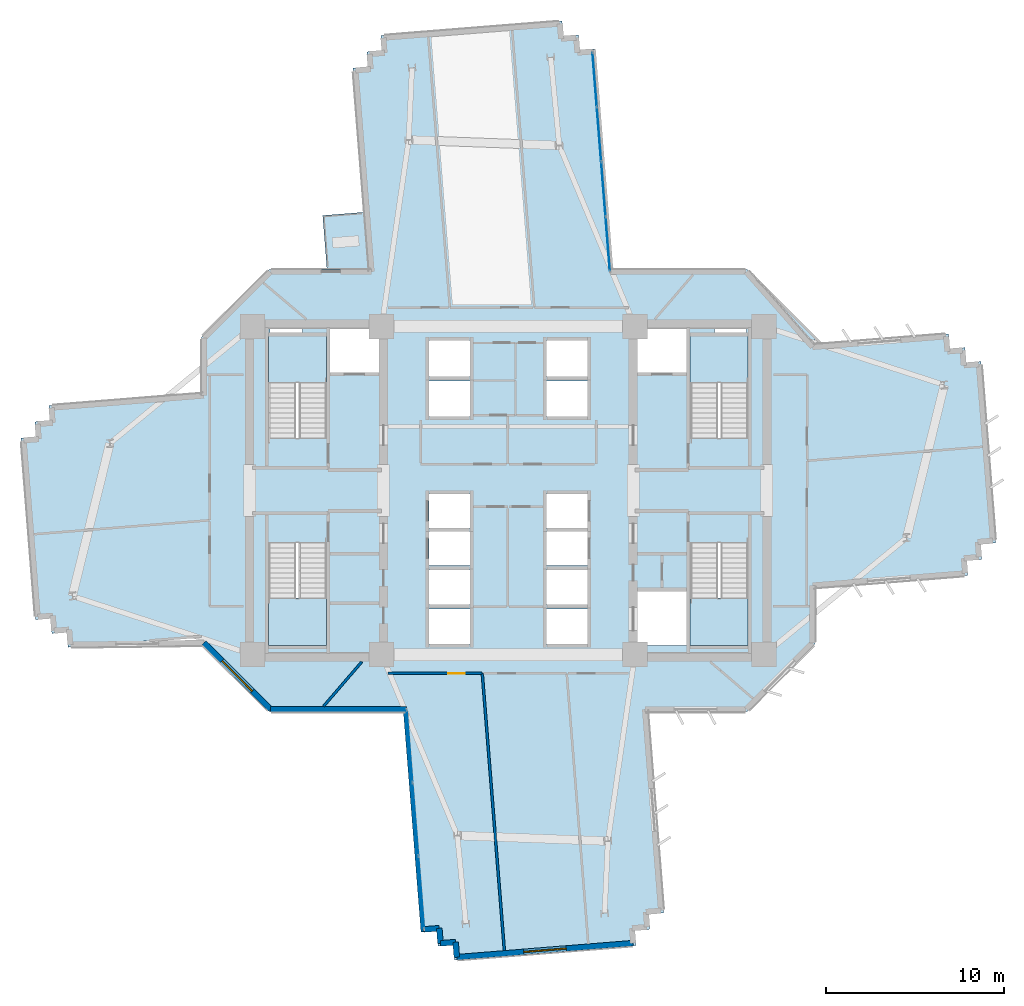
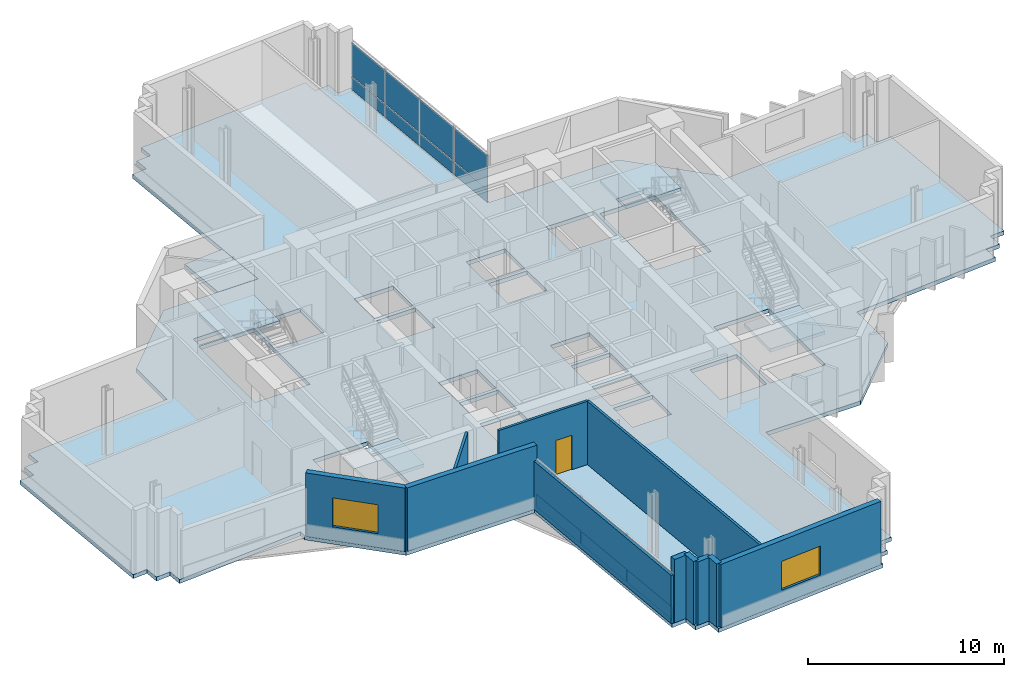
# One storey, part 5 of 15: 14 plates, 11 walls, 6 slabs, 2 windows, 1 door, 3 openings, 6 elements without a shape of their own.
"""IFC4 building model written with IfcOpenShell, lengths in metres."""

from ifc_helpers import new_model, si_unit, direction, frame, frame_2d, origin, origin_2d, place, context, subcontext, project, spatial, polyline, rectangle, outline, extrude, source, transform, mapped, material, layer, layer_set, type_object, element, fill, aggregate, save


model = new_model("IFC4")

# Units and contexts
model_context = context("Model", 3, precision=1e-05, world=origin(), true_north=direction((0.0, 1.0)))
body_context = subcontext(model_context, "Body", "Model", "MODEL_VIEW")
ifc_project = project(units=[si_unit("LENGTHUNIT", "METRE"), si_unit("AREAUNIT", "SQUARE_METRE"), si_unit("VOLUMEUNIT", "CUBIC_METRE"), si_unit("PLANEANGLEUNIT", "RADIAN"), si_unit("MASSUNIT", "GRAM", prefix="KILO")], contexts=[model_context])

# Site, building, storey
site_placement = place(None, origin())
site = spatial("IfcSite", under=ifc_project, at=site_placement, CompositionType="ELEMENT")
building_placement = place(site_placement, origin())
building = spatial("IfcBuilding", under=site, at=building_placement, Name="Zahravan Cultural Tower", CompositionType="ELEMENT")
storey_placement = place(building_placement, frame((0.0, 0.0, 79.5)))
storey = spatial("IfcBuildingStorey", under=building, at=storey_placement, Name="L17", CompositionType="ELEMENT", Elevation=79.5)

# Stair, slab
ifc_material_1 = material(Name="Concrete C45/55", Category="concrete")
stair_type = type_object("IfcStairType", Name="STR-DL-1550-420", PredefinedType="HALF_TURN_STAIR", material=ifc_material_1)
stair_1_placement = place(storey_placement, origin())
stair_1 = element("IfcStair", 1, at=stair_1_placement, inside=storey, type_object=stair_type, Name="L17 West Core North Exit Stair ST-W1", PredefinedType="HALF_TURN_STAIR")
ifc_layer_1 = layer(ifc_material_1, 0.199951171875)
ifc_layer_set_1 = layer_set([ifc_layer_1], Name="Concrete C45/55")
slab_type_1 = type_object("IfcSlabType", Name="SL-STAIR-LND200", PredefinedType="LANDING", material=ifc_layer_set_1)
slab_1_placement = place(storey_placement, frame((0.0, 0.0, 1.89990234375)))
slab_1 = element("IfcSlab", 2, at=slab_1_placement, type_object=slab_type_1, Name="ST-W1 landing 1", PredefinedType="LANDING", context=body_context, shape_type="SweptSolid", body=[
    extrude(outline(polyline([(25.800048828125, 33.030029296875), (25.800048828125, 35.699951171875), (22.550048828125, 35.699951171875), (22.550048828125, 33.030029296875), (25.800048828125, 33.030029296875)])), origin(), (0.0, 0.0, 1.0), 0.2001953125),
])
aggregate(stair_1, [slab_1])

stair_2_placement = place(storey_placement, origin())
stair_2 = element("IfcStair", 3, at=stair_2_placement, inside=storey, type_object=stair_type, Name="L17 West Core South Exit Stair ST-W2", PredefinedType="HALF_TURN_STAIR")
slab_2_placement = place(storey_placement, frame((0.0, 0.0, 1.89990234375)))
slab_2 = element("IfcSlab", 4, at=slab_2_placement, type_object=slab_type_1, Name="ST-W2 landing 1", PredefinedType="LANDING", context=body_context, shape_type="SweptSolid", body=[
    extrude(outline(polyline([(22.550048828125, 20.969970703125), (22.550048828125, 18.300048828125), (25.800048828125, 18.300048828125), (25.800048828125, 20.969970703125), (22.550048828125, 20.969970703125)])), origin(), (0.0, 0.0, 1.0), 0.2001953125),
])
aggregate(stair_2, [slab_2])

stair_3_placement = place(storey_placement, origin())
stair_3 = element("IfcStair", 5, at=stair_3_placement, inside=storey, type_object=stair_type, Name="L17 East Core North Exit Stair ST-E1", PredefinedType="HALF_TURN_STAIR")
slab_3_placement = place(storey_placement, frame((0.0, 0.0, 1.89990234375)))
slab_3 = element("IfcSlab", 6, at=slab_3_placement, type_object=slab_type_1, Name="ST-E1 landing 1", PredefinedType="LANDING", context=body_context, shape_type="SweptSolid", body=[
    extrude(outline(polyline([(49.449951171875, 33.030029296875), (49.449951171875, 35.699951171875), (46.199951171875, 35.699951171875), (46.199951171875, 33.030029296875), (49.449951171875, 33.030029296875)])), origin(), (0.0, 0.0, 1.0), 0.2001953125),
])
aggregate(stair_3, [slab_3])

stair_4_placement = place(storey_placement, origin())
stair_4 = element("IfcStair", 7, at=stair_4_placement, inside=storey, type_object=stair_type, Name="L17 East Core South Exit Stair ST-E2", PredefinedType="HALF_TURN_STAIR")
slab_4_placement = place(storey_placement, frame((0.0, 0.0, 1.89990234375)))
slab_4 = element("IfcSlab", 8, at=slab_4_placement, type_object=slab_type_1, Name="ST-E2 landing 1", PredefinedType="LANDING", context=body_context, shape_type="SweptSolid", body=[
    extrude(outline(polyline([(46.199951171875, 20.969970703125), (46.199951171875, 18.300048828125), (49.449951171875, 18.300048828125), (49.449951171875, 20.969970703125), (46.199951171875, 20.969970703125)])), origin(), (0.0, 0.0, 1.0), 0.2001953125),
])
aggregate(stair_4, [slab_4])

# Slabs
ifc_material_2 = material(Name="Concrete C40/50", Category="concrete")
ifc_layer_2 = layer(ifc_material_2, 0.239990234375)
ifc_layer_set_2 = layer_set([ifc_layer_2], Name="Concrete C40/50")
slab_type_2 = type_object("IfcSlabType", Name="SL-TERR-240", PredefinedType="FLOOR", material=ifc_layer_set_2)
slab_5_placement = place(storey_placement, frame((0.0, 0.0, -0.239990234375)))
element("IfcSlab", 9, at=slab_5_placement, inside=storey, type_object=slab_type_2, Name="L17 Planted Sculpture Terrace NW", PredefinedType="FLOOR", context=body_context, shape_type="SweptSolid", body=[
    extrude(outline(polyline([(25.591064453125, 42.42138671875), (25.83154296875, 39.405029296875), (28.18408203125, 39.405029296875), (27.9287109375, 42.607666015625), (25.591064453125, 42.42138671875)])), origin(), (0.0, 0.0, 1.0), 0.239990234375),
])
ifc_layer_3 = layer(ifc_material_2, 0.25)
ifc_layer_set_3 = layer_set([ifc_layer_3], Name="Concrete C40/50")
slab_type_3 = type_object("IfcSlabType", Name="SL-TYP-250", PredefinedType="FLOOR", material=ifc_layer_set_3)
slab_6_placement = place(storey_placement, frame((0.0, 0.0, -0.25)))
element("IfcSlab", 10, at=slab_6_placement, inside=storey, type_object=slab_type_3, Name="L17 Structural Floor Slab", PredefinedType="FLOOR", context=body_context, shape_type="SweptSolid", body=[
    extrude(outline(polyline([(53.199951171875, 35.193359375), (53.199951171875, 35.60009765625), (49.39990234375, 39.39990234375), (41.832763671875, 39.39990234375), (40.8466796875, 51.763671875), (39.999267578125, 51.696044921875), (39.931640625, 52.54345703125), (39.08447265625, 52.475830078125), (39.016845703125, 53.3232421875), (28.84912109375, 52.51220703125), (28.91650390625, 51.664794921875), (28.0693359375, 51.597412109375), (28.136962890625, 50.75), (27.28955078125, 50.6826171875), (28.189453125, 39.39990234375), (22.60009765625, 39.39990234375), (18.800048828125, 35.60009765625), (18.800048828125, 32.44970703125), (10.239501953125, 31.76708984375), (10.306884765625, 30.919677734375), (9.459716796875, 30.852294921875), (9.52734375, 30.0048828125), (8.679931640625, 29.937255859375), (9.490966796875, 19.76953125), (10.338134765625, 19.837158203125), (10.40576171875, 18.98974609375), (11.253173828125, 19.057373046875), (11.32080078125, 18.210205078125), (18.800048828125, 18.806640625), (18.800048828125, 18.39990234375), (22.60009765625, 14.60009765625), (30.167236328125, 14.60009765625), (31.1533203125, 2.236328125), (32.000732421875, 2.303955078125), (32.068359375, 1.45654296875), (32.91552734375, 1.524169921875), (32.983154296875, 0.6767578125), (43.15087890625, 1.48779296875), (43.08349609375, 2.335205078125), (43.9306640625, 2.402587890625), (43.863037109375, 3.25), (44.71044921875, 3.3173828125), (43.810546875, 14.60009765625), (49.39990234375, 14.60009765625), (53.199951171875, 18.39990234375), (53.199951171875, 21.55029296875), (61.760498046875, 22.23291015625), (61.693115234375, 23.080322265625), (62.540283203125, 23.147705078125), (62.47265625, 23.9951171875), (63.320068359375, 24.062744140625), (62.509033203125, 34.23046875), (61.661865234375, 34.162841796875), (61.59423828125, 35.01025390625), (60.746826171875, 34.942626953125), (60.67919921875, 35.789794921875), (53.199951171875, 35.193359375)]), holes=[polyline([(22.550048828125, 29.949951171875), (22.550048828125, 35.699951171875), (25.800048828125, 35.699951171875), (25.800048828125, 29.949951171875), (22.550048828125, 29.949951171875)]), polyline([(22.550048828125, 18.300048828125), (22.550048828125, 24.050048828125), (25.800048828125, 24.050048828125), (25.800048828125, 18.300048828125), (22.550048828125, 18.300048828125)]), polyline([(46.199951171875, 29.949951171875), (46.199951171875, 35.699951171875), (49.449951171875, 35.699951171875), (49.449951171875, 29.949951171875), (46.199951171875, 29.949951171875)]), polyline([(46.199951171875, 18.300048828125), (46.199951171875, 24.050048828125), (49.449951171875, 24.050048828125), (49.449951171875, 18.300048828125), (46.199951171875, 18.300048828125)]), polyline([(26.0, 33.60009765625), (26.0, 36.050048828125), (28.75, 36.050048828125), (28.75, 33.60009765625), (26.0, 33.60009765625)]), polyline([(43.25, 33.60009765625), (43.25, 36.050048828125), (46.0, 36.050048828125), (46.0, 33.60009765625), (43.25, 33.60009765625)]), polyline([(43.25, 18.300048828125), (43.25, 21.35009765625), (46.0, 21.35009765625), (46.0, 18.300048828125), (43.25, 18.300048828125)]), polyline([(31.550048828125, 33.39990234375), (31.550048828125, 35.39990234375), (33.85009765625, 35.39990234375), (33.85009765625, 33.39990234375), (31.550048828125, 33.39990234375)]), polyline([(31.550048828125, 31.14990234375), (31.550048828125, 33.14990234375), (33.85009765625, 33.14990234375), (33.85009765625, 31.14990234375), (31.550048828125, 31.14990234375)]), polyline([(38.14990234375, 33.39990234375), (38.14990234375, 35.39990234375), (40.449951171875, 35.39990234375), (40.449951171875, 33.39990234375), (38.14990234375, 33.39990234375)]), polyline([(38.14990234375, 31.14990234375), (38.14990234375, 33.14990234375), (40.449951171875, 33.14990234375), (40.449951171875, 31.14990234375), (38.14990234375, 31.14990234375)]), polyline([(31.550048828125, 20.60009765625), (31.550048828125, 22.550048828125), (33.85009765625, 22.550048828125), (33.85009765625, 20.60009765625), (31.550048828125, 20.60009765625)]), polyline([(31.550048828125, 18.39990234375), (31.550048828125, 20.35009765625), (33.85009765625, 20.35009765625), (33.85009765625, 18.39990234375), (31.550048828125, 18.39990234375)]), polyline([(38.14990234375, 20.60009765625), (38.14990234375, 22.550048828125), (40.449951171875, 22.550048828125), (40.449951171875, 20.60009765625), (38.14990234375, 20.60009765625)]), polyline([(38.14990234375, 18.39990234375), (38.14990234375, 20.35009765625), (40.449951171875, 20.35009765625), (40.449951171875, 18.39990234375), (38.14990234375, 18.39990234375)]), polyline([(31.550048828125, 24.89990234375), (31.550048828125, 26.800048828125), (33.85009765625, 26.800048828125), (33.85009765625, 24.89990234375), (31.550048828125, 24.89990234375)]), polyline([(31.550048828125, 22.800048828125), (31.550048828125, 24.699951171875), (33.85009765625, 24.699951171875), (33.85009765625, 22.800048828125), (31.550048828125, 22.800048828125)]), polyline([(38.14990234375, 24.89990234375), (38.14990234375, 26.800048828125), (40.449951171875, 26.800048828125), (40.449951171875, 24.89990234375), (38.14990234375, 24.89990234375)]), polyline([(38.14990234375, 22.800048828125), (38.14990234375, 24.699951171875), (40.449951171875, 24.699951171875), (40.449951171875, 22.800048828125), (38.14990234375, 22.800048828125)]), polyline([(22.64990234375, 35.800048828125), (22.64990234375, 36.419921875), (24.449951171875, 36.419921875), (24.449951171875, 35.800048828125), (22.64990234375, 35.800048828125)]), polyline([(47.550048828125, 35.800048828125), (47.550048828125, 36.419921875), (49.35009765625, 36.419921875), (49.35009765625, 35.800048828125), (47.550048828125, 35.800048828125)])]), origin(), (0.0, 0.0, 1.0), 0.25),
])

# Curtain wall, plates
ifc_material_3 = material(Name="Anodised bronze-aluminium mullion", Category="aluminium")
ifc_layer_4 = layer(ifc_material_3, 0.199951171875)
ifc_layer_set_4 = layer_set([ifc_layer_4], Name="Anodised bronze-aluminium mullion")
curtain_wall_type_1 = type_object("IfcCurtainWallType", Name="CW-SYS-2", PredefinedType="USERDEFINED", material=ifc_layer_set_4)
curtain_wall_1_placement = place(storey_placement, origin())
curtain_wall_1 = element("IfcCurtainWall", 11, at=curtain_wall_1_placement, inside=storey, type_object=curtain_wall_type_1, Name="L17 Recessed Curtain Wall CW-2.1", ObjectType="RECESSED GLAZING", PredefinedType="USERDEFINED")
ifc_material_4 = material(Name="Low-E solar-control double glazing", Category="glass")
ifc_layer_5 = layer(ifc_material_4, 0.030029296875)
ifc_layer_set_5 = layer_set([ifc_layer_5], Name="Low-E solar-control double glazing")
plate_type_1 = type_object("IfcPlateType", Name="CWP-CW-2", PredefinedType="CURTAIN_PANEL", material=ifc_layer_set_5)
shared_shape_1 = source(origin(), body_context, "Body", "SweptSolid", [
    extrude(rectangle(XDim=4.018310546875, YDim=0.030029296875, at=origin_2d()), origin(), (0.0, 0.0, 1.0), 0.78759765625),
])
plate_1_placement = place(storey_placement, frame((31.1162109375, 4.464599609375, 0.074951171875), z_axis=(0.0, 0.0, 1.0), x_axis=(-0.079501464817, 0.996834749139, 0.0)))
plate_1 = element("IfcPlate", 12, at=plate_1_placement, type_object=plate_type_1, Name="CW-2 panel 1.1", PredefinedType="CURTAIN_PANEL", context=body_context, shape_type="MappedRepresentation", body=[
    mapped(shared_shape_1, transform((0.0, 0.0, 0.0), x_axis=(1.0, 0.0, 0.0), y_axis=(0.0, 1.0, 0.0), z_axis=(0.0, 0.0, 1.0), scale=1.0)),
])
plate_2_placement = place(storey_placement, frame((30.46240234375, 12.66259765625, 0.074951171875), z_axis=(0.0, 0.0, 1.0), x_axis=(-0.079501464817, 0.996834749139, 0.0)))
plate_2 = element("IfcPlate", 13, at=plate_2_placement, type_object=plate_type_1, Name="CW-2 panel 3.1", PredefinedType="CURTAIN_PANEL", context=body_context, shape_type="MappedRepresentation", body=[
    mapped(shared_shape_1, transform((0.0, 0.0, 0.0), x_axis=(1.0, 0.0, 0.0), y_axis=(0.0, 1.0, 0.0), z_axis=(0.0, 0.0, 1.0), scale=1.0)),
])
shared_shape_2 = source(origin(), body_context, "Body", "SweptSolid", [
    extrude(rectangle(XDim=4.018310546875, YDim=0.030029296875, at=origin_2d()), origin(), (0.0, 0.0, 1.0), 2.0576171875),
])
plate_3_placement = place(storey_placement, frame((31.1162109375, 4.464599609375, 0.9375), z_axis=(0.0, 0.0, 1.0), x_axis=(-0.079501464817, 0.996834749139, 0.0)))
plate_3 = element("IfcPlate", 14, at=plate_3_placement, type_object=plate_type_1, Name="CW-2 panel 1.2", PredefinedType="CURTAIN_PANEL", context=body_context, shape_type="MappedRepresentation", body=[
    mapped(shared_shape_2, transform((0.0, 0.0, 0.0), x_axis=(1.0, 0.0, 0.0), y_axis=(0.0, 1.0, 0.0), z_axis=(0.0, 0.0, 1.0), scale=1.0)),
])
plate_4_placement = place(storey_placement, frame((30.46240234375, 12.66259765625, 0.9375), z_axis=(0.0, 0.0, 1.0), x_axis=(-0.079501464817, 0.996834749139, 0.0)))
plate_4 = element("IfcPlate", 15, at=plate_4_placement, type_object=plate_type_1, Name="CW-2 panel 3.2", PredefinedType="CURTAIN_PANEL", context=body_context, shape_type="MappedRepresentation", body=[
    mapped(shared_shape_2, transform((0.0, 0.0, 0.0), x_axis=(1.0, 0.0, 0.0), y_axis=(0.0, 1.0, 0.0), z_axis=(0.0, 0.0, 1.0), scale=1.0)),
])
shared_shape_3 = source(origin(), body_context, "Body", "SweptSolid", [
    extrude(rectangle(XDim=4.0556640625, YDim=0.030029296875, at=origin_2d()), origin(), (0.0, 0.0, 1.0), 0.78759765625),
])
plate_5_placement = place(storey_placement, frame((30.789306640625, 8.5634765625, 0.074951171875), z_axis=(0.0, 0.0, 1.0), x_axis=(-0.079501464817, 0.996834749139, 0.0)))
plate_5 = element("IfcPlate", 16, at=plate_5_placement, type_object=plate_type_1, Name="CW-2 panel 2.1", PredefinedType="CURTAIN_PANEL", context=body_context, shape_type="MappedRepresentation", body=[
    mapped(shared_shape_3, transform((0.0, 0.0, 0.0), x_axis=(1.0, 0.0, 0.0), y_axis=(0.0, 1.0, 0.0), z_axis=(0.0, 0.0, 1.0), scale=1.0)),
])
shared_shape_4 = source(origin(), body_context, "Body", "SweptSolid", [
    extrude(rectangle(XDim=4.0556640625, YDim=0.030029296875, at=origin_2d()), origin(), (0.0, 0.0, 1.0), 2.0576171875),
])
plate_6_placement = place(storey_placement, frame((30.789306640625, 8.5634765625, 0.9375), z_axis=(0.0, 0.0, 1.0), x_axis=(-0.079501464817, 0.996834749139, 0.0)))
plate_6 = element("IfcPlate", 17, at=plate_6_placement, type_object=plate_type_1, Name="CW-2 panel 2.2", PredefinedType="CURTAIN_PANEL", context=body_context, shape_type="MappedRepresentation", body=[
    mapped(shared_shape_4, transform((0.0, 0.0, 0.0), x_axis=(1.0, 0.0, 0.0), y_axis=(0.0, 1.0, 0.0), z_axis=(0.0, 0.0, 1.0), scale=1.0)),
])
aggregate(curtain_wall_1, [plate_1, plate_3, plate_5, plate_6, plate_2, plate_4])

ifc_layer_6 = layer(ifc_material_3, 0.179931640625)
ifc_layer_set_6 = layer_set([ifc_layer_6], Name="Anodised bronze-aluminium mullion")
curtain_wall_type_2 = type_object("IfcCurtainWallType", Name="CW-SYS-3", PredefinedType="USERDEFINED", material=ifc_layer_set_6)
curtain_wall_2_placement = place(storey_placement, origin())
curtain_wall_2 = element("IfcCurtainWall", 18, at=curtain_wall_2_placement, inside=storey, type_object=curtain_wall_type_2, Name="L17 Recessed Curtain Wall CW-3.2", ObjectType="RECESSED GLAZING", PredefinedType="USERDEFINED")
ifc_layer_7 = layer(ifc_material_4, 0.028076171875)
ifc_layer_set_7 = layer_set([ifc_layer_7], Name="Low-E solar-control double glazing")
plate_type_2 = type_object("IfcPlateType", Name="CWP-CW-3", PredefinedType="CURTAIN_PANEL", material=ifc_layer_set_7)
shared_shape_5 = source(origin(), body_context, "Body", "SweptSolid", [
    extrude(rectangle(XDim=2.9931640625, YDim=0.028076171875, at=origin_2d()), origin(), (0.0, 0.0, 1.0), 0.794921875),
])
plate_7_placement = place(storey_placement, frame((40.8427734375, 50.051513671875, 0.070068359375), z_axis=(0.0, 0.0, 1.0), x_axis=(0.079501464817, -0.996834749139, 0.0)))
plate_7 = element("IfcPlate", 19, at=plate_7_placement, type_object=plate_type_2, Name="CW-3 panel 1.1", PredefinedType="CURTAIN_PANEL", context=body_context, shape_type="MappedRepresentation", body=[
    mapped(shared_shape_5, transform((0.0, 0.0, 0.0), x_axis=(1.0, 0.0, 0.0), y_axis=(0.0, 1.0, 0.0), z_axis=(0.0, 0.0, 1.0), scale=1.0)),
])
plate_8_placement = place(storey_placement, frame((41.578857421875, 40.821533203125, 0.070068359375), z_axis=(0.0, 0.0, 1.0), x_axis=(0.079501464817, -0.996834749139, 0.0)))
plate_8 = element("IfcPlate", 20, at=plate_8_placement, type_object=plate_type_2, Name="CW-3 panel 4.1", PredefinedType="CURTAIN_PANEL", context=body_context, shape_type="MappedRepresentation", body=[
    mapped(shared_shape_5, transform((0.0, 0.0, 0.0), x_axis=(1.0, 0.0, 0.0), y_axis=(0.0, 1.0, 0.0), z_axis=(0.0, 0.0, 1.0), scale=1.0)),
])
shared_shape_6 = source(origin(), body_context, "Body", "SweptSolid", [
    extrude(rectangle(XDim=2.9931640625, YDim=0.028076171875, at=origin_2d()), origin(), (0.0, 0.0, 1.0), 2.06494140625),
])
plate_9_placement = place(storey_placement, frame((40.8427734375, 50.051513671875, 0.93505859375), z_axis=(0.0, 0.0, 1.0), x_axis=(0.079501464817, -0.996834749139, 0.0)))
plate_9 = element("IfcPlate", 21, at=plate_9_placement, type_object=plate_type_2, Name="CW-3 panel 1.2", PredefinedType="CURTAIN_PANEL", context=body_context, shape_type="MappedRepresentation", body=[
    mapped(shared_shape_6, transform((0.0, 0.0, 0.0), x_axis=(1.0, 0.0, 0.0), y_axis=(0.0, 1.0, 0.0), z_axis=(0.0, 0.0, 1.0), scale=1.0)),
])
plate_10_placement = place(storey_placement, frame((41.578857421875, 40.821533203125, 0.93505859375), z_axis=(0.0, 0.0, 1.0), x_axis=(0.079501464817, -0.996834749139, 0.0)))
plate_10 = element("IfcPlate", 22, at=plate_10_placement, type_object=plate_type_2, Name="CW-3 panel 4.2", PredefinedType="CURTAIN_PANEL", context=body_context, shape_type="MappedRepresentation", body=[
    mapped(shared_shape_6, transform((0.0, 0.0, 0.0), x_axis=(1.0, 0.0, 0.0), y_axis=(0.0, 1.0, 0.0), z_axis=(0.0, 0.0, 1.0), scale=1.0)),
])
shared_shape_7 = source(origin(), body_context, "Body", "SweptSolid", [
    extrude(rectangle(XDim=3.028076171875, YDim=0.028076171875, at=origin_2d()), origin(), (0.0, 0.0, 1.0), 0.794921875),
])
plate_11_placement = place(storey_placement, frame((41.087646484375, 46.980712890625, 0.070068359375), z_axis=(0.0, 0.0, 1.0), x_axis=(0.079501464817, -0.996834749139, 0.0)))
plate_11 = element("IfcPlate", 23, at=plate_11_placement, type_object=plate_type_2, Name="CW-3 panel 2.1", PredefinedType="CURTAIN_PANEL", context=body_context, shape_type="MappedRepresentation", body=[
    mapped(shared_shape_7, transform((0.0, 0.0, 0.0), x_axis=(1.0, 0.0, 0.0), y_axis=(0.0, 1.0, 0.0), z_axis=(0.0, 0.0, 1.0), scale=1.0)),
])
plate_12_placement = place(storey_placement, frame((41.333984375, 43.892333984375, 0.070068359375), z_axis=(0.0, 0.0, 1.0), x_axis=(0.079501464817, -0.996834749139, 0.0)))
plate_12 = element("IfcPlate", 24, at=plate_12_placement, type_object=plate_type_2, Name="CW-3 panel 3.1", PredefinedType="CURTAIN_PANEL", context=body_context, shape_type="MappedRepresentation", body=[
    mapped(shared_shape_7, transform((0.0, 0.0, 0.0), x_axis=(1.0, 0.0, 0.0), y_axis=(0.0, 1.0, 0.0), z_axis=(0.0, 0.0, 1.0), scale=1.0)),
])
shared_shape_8 = source(origin(), body_context, "Body", "SweptSolid", [
    extrude(rectangle(XDim=3.028076171875, YDim=0.028076171875, at=origin_2d()), origin(), (0.0, 0.0, 1.0), 2.06494140625),
])
plate_13_placement = place(storey_placement, frame((41.087646484375, 46.980712890625, 0.93505859375), z_axis=(0.0, 0.0, 1.0), x_axis=(0.079501464817, -0.996834749139, 0.0)))
plate_13 = element("IfcPlate", 25, at=plate_13_placement, type_object=plate_type_2, Name="CW-3 panel 2.2", PredefinedType="CURTAIN_PANEL", context=body_context, shape_type="MappedRepresentation", body=[
    mapped(shared_shape_8, transform((0.0, 0.0, 0.0), x_axis=(1.0, 0.0, 0.0), y_axis=(0.0, 1.0, 0.0), z_axis=(0.0, 0.0, 1.0), scale=1.0)),
])
plate_14_placement = place(storey_placement, frame((41.333984375, 43.892333984375, 0.93505859375), z_axis=(0.0, 0.0, 1.0), x_axis=(0.079501464817, -0.996834749139, 0.0)))
plate_14 = element("IfcPlate", 26, at=plate_14_placement, type_object=plate_type_2, Name="CW-3 panel 3.2", PredefinedType="CURTAIN_PANEL", context=body_context, shape_type="MappedRepresentation", body=[
    mapped(shared_shape_8, transform((0.0, 0.0, 0.0), x_axis=(1.0, 0.0, 0.0), y_axis=(0.0, 1.0, 0.0), z_axis=(0.0, 0.0, 1.0), scale=1.0)),
])
aggregate(curtain_wall_2, [plate_7, plate_9, plate_11, plate_13, plate_12, plate_14, plate_8, plate_10])

# Wall, opening, window
ifc_material_5 = material(Name="Precast concrete C40/50", Category="concrete")
ifc_layer_8 = layer(ifc_material_5, 0.320068359375)
ifc_layer_set_8 = layer_set([ifc_layer_8], Name="Precast concrete C40/50")
wall_type_1 = type_object("IfcWallType", Name="EW-TC-320", PredefinedType="SOLIDWALL", material=ifc_layer_set_8)
wall_1_placement = place(storey_placement, frame((43.000244140625, 1.6162109375, 0.0), z_axis=(0.0, 0.0, 1.0), x_axis=(-0.996833485558, -0.079517306731, 0.0)))
wall_1 = element("IfcWall", 27, at=wall_1_placement, inside=storey, type_object=wall_type_1, Name="L17 Exterior Masonry Frame Wall 20", PredefinedType="SOLIDWALL", context=body_context, shape_type="SweptSolid", body=[
    extrude(rectangle(XDim=9.920166015625, YDim=0.320068359375, at=frame_2d((4.9599609375, 0.0))), origin(), (0.0, 0.0, 1.0), 3.949951171875),
])
opening_1_placement = place(wall_1_placement, frame((3.760009765625, 0.0, 0.85009765625)))
opening_1 = element("IfcOpeningElement", 28, at=opening_1_placement, cuts=wall_1, Name="Opening WN-01", PredefinedType="OPENING", context=body_context, shape_type="SweptSolid", body=[
    extrude(rectangle(XDim=2.39990234375, YDim=1.800048828125, at=frame_2d((1.199951171875, 0.89990234375))), frame((0.0, 0.169921875, 0.0), z_axis=(0.0, -1.0, 0.0), x_axis=(1.0, 0.0, 0.0)), (0.0, 0.0, 1.0), 0.340087890625),
])
window_type = type_object("IfcWindowType", Name="WN-REC-2400X1800", PartitioningType="DOUBLE_PANEL_VERTICAL", PredefinedType="WINDOW", material=ifc_material_4)
shared_shape_9 = source(origin(), body_context, "Body", "SweptSolid", [
    extrude(rectangle(XDim=2.39990234375, YDim=1.800048828125, at=frame_2d((1.199951171875, 0.89990234375))), frame((0.0, 0.030029296875, 0.0), z_axis=(0.0, -1.0, 0.0), x_axis=(1.0, 0.0, 0.0)), (0.0, 0.0, 1.0), 0.06005859375),
])
window_1_placement = place(opening_1_placement, origin())
window_1 = element("IfcWindow", 29, at=window_1_placement, inside=storey, type_object=window_type, Name="L17 Recessed Solar Window 06", OverallHeight=1.800048828125, OverallWidth=2.39990234375, PartitioningType="DOUBLE_PANEL_VERTICAL", PredefinedType="WINDOW", context=body_context, shape_type="MappedRepresentation", body=[
    mapped(shared_shape_9, transform((0.0, 0.0, 0.0), x_axis=(1.0, 0.0, 0.0), y_axis=(0.0, 1.0, 0.0), z_axis=(0.0, 0.0, 1.0), scale=1.0)),
])
fill(opening_1, window_1)

wall_2_placement = place(storey_placement, frame((22.657958984375, 14.739990234375, 0.0), z_axis=(0.0, 0.0, 1.0), x_axis=(-0.707106781187, 0.707106781187, 0.0)))
wall_2 = element("IfcWall", 30, at=wall_2_placement, inside=storey, type_object=wall_type_1, Name="L17 Exterior Masonry Frame Wall 26", PredefinedType="SOLIDWALL", context=body_context, shape_type="SweptSolid", body=[
    extrude(rectangle(XDim=5.258056640625, YDim=0.320068359375, at=frame_2d((2.62890625, 0.0))), origin(), (0.0, 0.0, 1.0), 3.949951171875),
])
opening_2_placement = place(wall_2_placement, frame((1.428955078125, 0.0, 0.85009765625)))
opening_2 = element("IfcOpeningElement", 31, at=opening_2_placement, cuts=wall_2, Name="Opening WN-01", PredefinedType="OPENING", context=body_context, shape_type="SweptSolid", body=[
    extrude(rectangle(XDim=2.39990234375, YDim=1.800048828125, at=frame_2d((1.199951171875, 0.89990234375))), frame((0.0, 0.169921875, 0.0), z_axis=(0.0, -1.0, 0.0), x_axis=(1.0, 0.0, 0.0)), (0.0, 0.0, 1.0), 0.340087890625),
])
window_2_placement = place(opening_2_placement, origin())
window_2 = element("IfcWindow", 32, at=window_2_placement, inside=storey, type_object=window_type, Name="L17 Recessed Solar Window 07", OverallHeight=1.800048828125, OverallWidth=2.39990234375, PartitioningType="DOUBLE_PANEL_VERTICAL", PredefinedType="WINDOW", context=body_context, shape_type="MappedRepresentation", body=[
    mapped(shared_shape_9, transform((0.0, 0.0, 0.0), x_axis=(1.0, 0.0, 0.0), y_axis=(0.0, 1.0, 0.0), z_axis=(0.0, 0.0, 1.0), scale=1.0)),
])
fill(opening_2, window_2)

# Wall, opening, door
ifc_material_6 = material(Name="Gypsum plasterboard partition")
ifc_layer_9 = layer(ifc_material_6, 0.139892578125)
ifc_layer_set_9 = layer_set([ifc_layer_9], Name="Gypsum plasterboard partition")
wall_type_2 = type_object("IfcWallType", Name="W-PART-140", PredefinedType="PARTITIONING", material=ifc_layer_set_9)
wall_3_placement = place(storey_placement, frame((29.257568359375, 16.740234375, 0.0), z_axis=(0.0, 0.0, 1.0), x_axis=(0.999999998924, -4.6384341e-05, 0.0)))
wall_3 = element("IfcWall", 33, at=wall_3_placement, inside=storey, type_object=wall_type_2, Name="L17 Interior Wall 099", PredefinedType="PARTITIONING", context=body_context, shape_type="SweptSolid", body=[
    extrude(rectangle(XDim=5.263427734375, YDim=0.139892578125, at=frame_2d((2.6318359375, 0.0))), origin(), (0.0, 0.0, 1.0), 3.949951171875),
])
opening_3_placement = place(wall_3_placement, frame((3.364501953125, 0.0, 0.0)))
opening_3 = element("IfcOpeningElement", 34, at=opening_3_placement, cuts=wall_3, Name="Opening D-L17-26", PredefinedType="OPENING", context=body_context, shape_type="SweptSolid", body=[
    extrude(rectangle(XDim=0.949951171875, YDim=2.14990234375, at=frame_2d((0.47509765625, 1.074951171875))), frame((0.0, 0.079833984375, 0.0), z_axis=(0.0, -1.0, 0.0), x_axis=(1.0, 0.0, 0.0)), (0.0, 0.0, 1.0), 0.159912109375),
])
door_type = type_object("IfcDoorType", Name="DR-ROOM-950", OperationType="NOTDEFINED", PredefinedType="DOOR", material=ifc_material_3)
shared_shape_10 = source(origin(), body_context, "Body", "SweptSolid", [
    extrude(rectangle(XDim=0.949951171875, YDim=2.14990234375, at=frame_2d((0.47509765625, 1.074951171875))), frame((0.0, 0.02490234375, 0.0), z_axis=(0.0, -1.0, 0.0), x_axis=(1.0, 0.0, 0.0)), (0.0, 0.0, 1.0), 0.050048828125),
])
door_placement = place(opening_3_placement, origin())
door = element("IfcDoor", 35, at=door_placement, inside=storey, type_object=door_type, Name="L17 Door D-L17-26", OperationType="SINGLE_SWING_RIGHT", OverallHeight=2.14990234375, OverallWidth=0.949951171875, PredefinedType="DOOR", context=body_context, shape_type="MappedRepresentation", body=[
    mapped(shared_shape_10, transform((0.0, 0.0, 0.0), x_axis=(1.0, 0.0, 0.0), y_axis=(0.0, 1.0, 0.0), z_axis=(0.0, 0.0, 1.0), scale=1.0)),
])
fill(opening_3, door)

# Walls
shared_shape_11 = source(origin(), body_context, "Body", "SweptSolid", [
    extrude(rectangle(XDim=0.849853515625, YDim=0.320068359375, at=frame_2d((0.4248046875, 0.0))), origin(), (0.0, 0.0, 1.0), 3.949951171875),
])
for number, where, z_axis, x_axis, name in (
    (36, (33.0439453125, 1.6748046875, 0.0), (0.0, 0.0, 1.0), (-0.996851711541, -0.079288493483, 0.0), "L17 Exterior Masonry Frame Wall 22"),
    (37, (32.19677734375, 1.607421875, 0.0), (0.0, 0.0, 1.0), (-0.079573954853, 0.996828965123, 0.0), "L17 Exterior Masonry Frame Wall 23"),
):
    element("IfcWall", number, at=place(storey_placement, frame(where, z_axis=z_axis, x_axis=x_axis)), inside=storey, type_object=wall_type_1, Name=name, PredefinedType="SOLIDWALL", context=body_context, shape_type="MappedRepresentation", body=[
        mapped(shared_shape_11, transform((0.0, 0.0, 0.0), x_axis=(1.0, 0.0, 0.0), y_axis=(0.0, 1.0, 0.0), z_axis=(0.0, 0.0, 1.0), scale=1.0)),
    ])
shared_shape_12 = source(origin(), body_context, "Body", "SweptSolid", [
    extrude(rectangle(XDim=0.85009765625, YDim=0.320068359375, at=frame_2d((0.425048828125, 0.0))), origin(), (0.0, 0.0, 1.0), 3.949951171875),
])
for number, where, z_axis, x_axis, name in (
    (38, (33.111572265625, 0.827392578125, 0.0), (0.0, 0.0, 1.0), (-0.079551174585, 0.996830783344, 0.0), "L17 Exterior Masonry Frame Wall 21"),
    (39, (32.129150390625, 2.45458984375, 0.0), (0.0, 0.0, 1.0), (-0.996830783344, -0.079551174585, 0.0), "L17 Exterior Masonry Frame Wall 24"),
):
    element("IfcWall", number, at=place(storey_placement, frame(where, z_axis=z_axis, x_axis=x_axis)), inside=storey, type_object=wall_type_1, Name=name, PredefinedType="SOLIDWALL", context=body_context, shape_type="MappedRepresentation", body=[
        mapped(shared_shape_12, transform((0.0, 0.0, 0.0), x_axis=(1.0, 0.0, 0.0), y_axis=(0.0, 1.0, 0.0), z_axis=(0.0, 0.0, 1.0), scale=1.0)),
    ])
shared_shape_13 = source(origin(), body_context, "Body", "SweptSolid", [
    extrude(rectangle(XDim=7.638671875, YDim=0.320068359375, at=frame_2d((3.8193359375, 0.0))), origin(), (0.0, 0.0, 1.0), 3.949951171875),
])
wall_4_placement = place(storey_placement, frame((30.296630859375, 14.739990234375, 0.0), z_axis=(0.0, 0.0, 1.0), x_axis=(-1.0, 0.0, 0.0)))
element("IfcWall", 40, at=wall_4_placement, inside=storey, type_object=wall_type_1, Name="L17 Exterior Masonry Frame Wall 25", PredefinedType="SOLIDWALL", context=body_context, shape_type="MappedRepresentation", body=[
    mapped(shared_shape_13, transform((0.0, 0.0, 0.0), x_axis=(1.0, 0.0, 0.0), y_axis=(0.0, 1.0, 0.0), z_axis=(0.0, 0.0, 1.0), scale=1.0)),
])
shared_shape_14 = source(origin(), body_context, "Body", "SweptSolid", [
    extrude(rectangle(XDim=15.58349609375, YDim=0.139892578125, at=frame_2d((7.791748046875, 0.0))), origin(), (0.0, 0.0, 1.0), 3.949951171875),
])
wall_5_placement = place(storey_placement, frame((35.780029296875, 1.205810546875, 0.0), z_axis=(0.0, 0.0, 1.0), x_axis=(-0.079507979427, 0.996834229552, 0.0)))
element("IfcWall", 41, at=wall_5_placement, inside=storey, type_object=wall_type_2, Name="L17 Interior Wall 088", PredefinedType="PARTITIONING", context=body_context, shape_type="MappedRepresentation", body=[
    mapped(shared_shape_14, transform((0.0, 0.0, 0.0), x_axis=(1.0, 0.0, 0.0), y_axis=(0.0, 1.0, 0.0), z_axis=(0.0, 0.0, 1.0), scale=1.0)),
])
shared_shape_15 = source(origin(), body_context, "Body", "SweptSolid", [
    extrude(rectangle(XDim=12.356201171875, YDim=0.139892578125, at=frame_2d((6.17822265625, 0.0))), origin(), (0.0, 0.0, 1.0), 3.010009765625),
])
wall_6_placement = place(storey_placement, frame((31.171875, 2.2578125, 0.0), z_axis=(0.0, 0.0, 1.0), x_axis=(-0.079527689156, 0.996832657299, 0.0)))
element("IfcWall", 42, at=wall_6_placement, inside=storey, type_object=wall_type_2, Name="L17 Interior Wall 100", PredefinedType="PARTITIONING", context=body_context, shape_type="MappedRepresentation", body=[
    mapped(shared_shape_15, transform((0.0, 0.0, 0.0), x_axis=(1.0, 0.0, 0.0), y_axis=(0.0, 1.0, 0.0), z_axis=(0.0, 0.0, 1.0), scale=1.0)),
])
shared_shape_16 = source(origin(), body_context, "Body", "SweptSolid", [
    extrude(rectangle(XDim=3.2900390625, YDim=0.139892578125, at=frame_2d((1.64501953125, 0.0))), origin(), (0.0, 0.0, 1.0), 3.949951171875),
])
wall_7_placement = place(storey_placement, frame((25.640380859375, 14.901123046875, 0.0), z_axis=(0.0, 0.0, 1.0), x_axis=(0.652214149627, 0.758034763732, 0.0)))
element("IfcWall", 43, at=wall_7_placement, inside=storey, type_object=wall_type_2, Name="L17 Interior Wall 101", PredefinedType="PARTITIONING", context=body_context, shape_type="MappedRepresentation", body=[
    mapped(shared_shape_16, transform((0.0, 0.0, 0.0), x_axis=(1.0, 0.0, 0.0), y_axis=(0.0, 1.0, 0.0), z_axis=(0.0, 0.0, 1.0), scale=1.0)),
])

save(model, "model.ifc")
